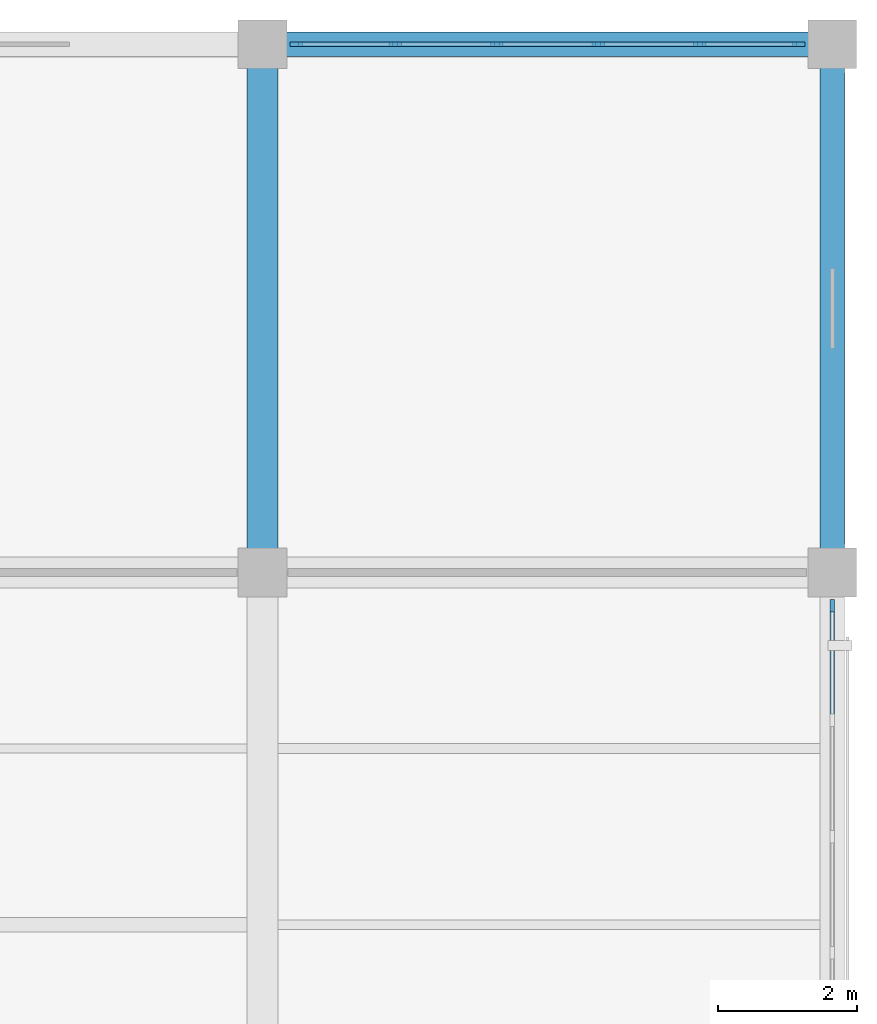
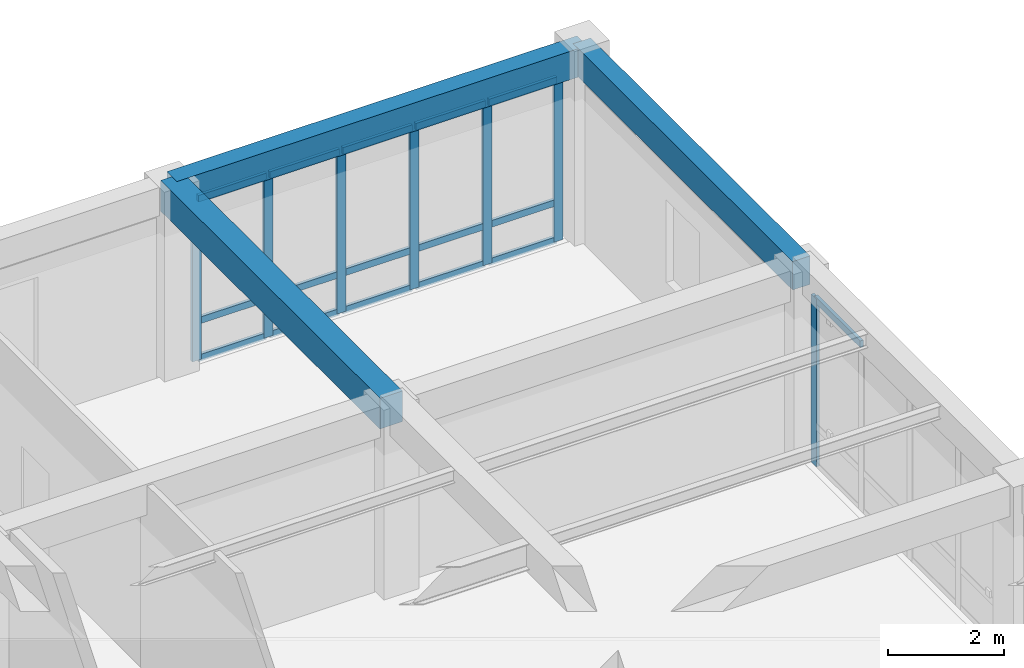
# One storey, part 5 of 13: 23 members, 3 beams, 2 elements without a shape of their own.
"""IFC4 building model written with IfcOpenShell, lengths in metres."""

from ifc_helpers import new_model, si_unit, direction, frame, origin, origin_2d, place, context, subcontext, project, spatial, rectangle, extrude, material, material_profile, profile_set, type_object, element, aggregate, save


model = new_model("IFC4")

# Units and contexts
model_context = context("Model", 3, precision=1e-05, world=origin(), true_north=direction((0.0, 1.0)))
body_context = subcontext(model_context, "Body", "Model", "MODEL_VIEW")
ifc_project = project(units=[si_unit("LENGTHUNIT", "METRE"), si_unit("AREAUNIT", "SQUARE_METRE"), si_unit("VOLUMEUNIT", "CUBIC_METRE"), si_unit("PLANEANGLEUNIT", "RADIAN"), si_unit("MASSUNIT", "GRAM", prefix="KILO")], contexts=[model_context])

# Site, building, storey
site_placement = place(None, origin())
site = spatial("IfcSite", under=ifc_project, at=site_placement, CompositionType="ELEMENT")
building_placement = place(site_placement, origin())
building = spatial("IfcBuilding", under=site, at=building_placement, Name="Qandaris Square Conservatory and Botanical Centre", CompositionType="ELEMENT")
storey_placement = place(building_placement, frame((0.0, 0.0, 61.800048828125)))
storey = spatial("IfcBuildingStorey", under=building, at=storey_placement, Name="L14", CompositionType="ELEMENT", Elevation=61.800048828125)

# Curtain wall, member
ifc_material_1 = material(Name="Anodised Aluminium", Category="aluminium")
curtain_wall_type_1 = type_object("IfcCurtainWallType", Name="Unitised Curtain Wall CW-4-670x355", PredefinedType="USERDEFINED", material=ifc_material_1)
curtain_wall_1_placement = place(storey_placement, origin())
curtain_wall_1 = element("IfcCurtainWall", 1, at=curtain_wall_1_placement, inside=storey, type_object=curtain_wall_type_1, Name="Curtain Wall CW-TWR-L14-2-5", ObjectType="GLAZED CURTAIN WALL", PredefinedType="USERDEFINED")
ifc_material_profile_1 = material_profile(ifc_material_1, rectangle(XDim=0.06494140625, YDim=0.179931640625, at=origin_2d()), Name="ALU-MUL 65x180")
ifc_profile_set_1 = profile_set([ifc_material_profile_1], Name="Anodised Aluminium")
member_type_1 = type_object("IfcMemberType", Name="Curtain Wall Mullion 65x180", PredefinedType="MULLION", material=ifc_profile_set_1)
member_1_placement = place(storey_placement, frame((163.800048828125, 54.117431640625, 0.0), z_axis=(0.0, 0.0, 1.0), x_axis=(-1.0, 0.0, 0.0)))
member_1 = element("IfcMember", 2, at=member_1_placement, type_object=member_type_1, Name="CW-4-670x355 mullion 5", PredefinedType="MULLION", context=body_context, shape_type="SweptSolid", body=[
    extrude(rectangle(XDim=0.06494140625, YDim=0.179931640625, at=origin_2d()), origin(), (0.0, 0.0, 1.0), 3.544921875),
])

# Curtain wall, members
curtain_wall_type_2 = type_object("IfcCurtainWallType", Name="Unitised Curtain Wall CW-3-730x344", PredefinedType="USERDEFINED", material=ifc_material_1)
curtain_wall_2_placement = place(storey_placement, origin())
curtain_wall_2 = element("IfcCurtainWall", 3, at=curtain_wall_2_placement, inside=storey, type_object=curtain_wall_type_2, Name="Curtain Wall CW-TWR-L14-3-1", ObjectType="GLAZED CURTAIN WALL", PredefinedType="USERDEFINED")
member_2_placement = place(storey_placement, frame((163.3173828125, 62.199951171875, 0.0), z_axis=(0.0, 0.0, 1.0), x_axis=(0.0, -1.0, 0.0)))
member_2 = element("IfcMember", 4, at=member_2_placement, type_object=member_type_1, Name="CW-3-730x344 mullion 1", PredefinedType="MULLION", context=body_context, shape_type="SweptSolid", body=[
    extrude(rectangle(XDim=0.06494140625, YDim=0.179931640625, at=origin_2d()), origin(), (0.0, 0.0, 1.0), 3.43994140625),
])
member_3_placement = place(storey_placement, frame((161.889892578125, 62.199951171875, 0.0), z_axis=(0.0, 0.0, 1.0), x_axis=(0.0, -1.0, 0.0)))
member_3 = element("IfcMember", 5, at=member_3_placement, type_object=member_type_1, Name="CW-3-730x344 mullion 2", PredefinedType="MULLION", context=body_context, shape_type="SweptSolid", body=[
    extrude(rectangle(XDim=0.06494140625, YDim=0.179931640625, at=origin_2d()), origin(), (0.0, 0.0, 1.0), 3.43994140625),
])
member_4_placement = place(storey_placement, frame((160.429931640625, 62.199951171875, 0.0), z_axis=(0.0, 0.0, 1.0), x_axis=(0.0, -1.0, 0.0)))
member_4 = element("IfcMember", 6, at=member_4_placement, type_object=member_type_1, Name="CW-3-730x344 mullion 3", PredefinedType="MULLION", context=body_context, shape_type="SweptSolid", body=[
    extrude(rectangle(XDim=0.06494140625, YDim=0.179931640625, at=origin_2d()), origin(), (0.0, 0.0, 1.0), 3.43994140625),
])
member_5_placement = place(storey_placement, frame((158.969970703125, 62.199951171875, 0.0), z_axis=(0.0, 0.0, 1.0), x_axis=(0.0, -1.0, 0.0)))
member_5 = element("IfcMember", 7, at=member_5_placement, type_object=member_type_1, Name="CW-3-730x344 mullion 4", PredefinedType="MULLION", context=body_context, shape_type="SweptSolid", body=[
    extrude(rectangle(XDim=0.06494140625, YDim=0.179931640625, at=origin_2d()), origin(), (0.0, 0.0, 1.0), 3.43994140625),
])
member_6_placement = place(storey_placement, frame((157.510009765625, 62.199951171875, 0.0), z_axis=(0.0, 0.0, 1.0), x_axis=(0.0, -1.0, 0.0)))
member_6 = element("IfcMember", 8, at=member_6_placement, type_object=member_type_1, Name="CW-3-730x344 mullion 5", PredefinedType="MULLION", context=body_context, shape_type="SweptSolid", body=[
    extrude(rectangle(XDim=0.06494140625, YDim=0.179931640625, at=origin_2d()), origin(), (0.0, 0.0, 1.0), 3.43994140625),
])
member_7_placement = place(storey_placement, frame((156.08251953125, 62.199951171875, 0.0), z_axis=(0.0, 0.0, 1.0), x_axis=(0.0, -1.0, 0.0)))
member_7 = element("IfcMember", 9, at=member_7_placement, type_object=member_type_1, Name="CW-3-730x344 mullion 6", PredefinedType="MULLION", context=body_context, shape_type="SweptSolid", body=[
    extrude(rectangle(XDim=0.06494140625, YDim=0.179931640625, at=origin_2d()), origin(), (0.0, 0.0, 1.0), 3.43994140625),
])

# Member
ifc_material_profile_2 = material_profile(ifc_material_1, rectangle(XDim=0.06494140625, YDim=0.139892578125, at=origin_2d()), Name="ALU-TRN 65x140")
ifc_profile_set_2 = profile_set([ifc_material_profile_2], Name="Anodised Aluminium")
member_type_2 = type_object("IfcMemberType", Name="Curtain Wall Transom 65x140", PredefinedType="USERDEFINED", material=ifc_profile_set_2)
member_8_placement = place(storey_placement, frame((163.800048828125, 52.507568359375, 3.512451171875), z_axis=(0.0, 1.0, 0.0), x_axis=(-1.0, 0.0, 0.0)))
member_8 = element("IfcMember", 10, at=member_8_placement, type_object=member_type_2, Name="CW-4-670x355 transom 4.3", ObjectType="TRANSOM", PredefinedType="USERDEFINED", context=body_context, shape_type="SweptSolid", body=[
    extrude(rectangle(XDim=0.06494140625, YDim=0.139892578125, at=origin_2d()), origin(), (0.0, 0.0, 1.0), 1.577392578125),
])

aggregate(curtain_wall_1, [member_1, member_8])

member_9_placement = place(storey_placement, frame((163.284912109375, 62.199951171875, 0.032470703125), z_axis=(-1.0, 0.0, 0.0), x_axis=(0.0, -1.0, 0.0)))
member_9 = element("IfcMember", 11, at=member_9_placement, type_object=member_type_2, Name="CW-3-730x344 transom 1.1", ObjectType="TRANSOM", PredefinedType="USERDEFINED", context=body_context, shape_type="SweptSolid", body=[
    extrude(rectangle(XDim=0.06494140625, YDim=0.139892578125, at=origin_2d()), origin(), (0.0, 0.0, 1.0), 1.3623046875),
])

member_10_placement = place(storey_placement, frame((163.284912109375, 62.199951171875, 0.825439453125), z_axis=(-1.0, 0.0, 0.0), x_axis=(0.0, -1.0, 0.0)))
member_10 = element("IfcMember", 12, at=member_10_placement, type_object=member_type_2, Name="CW-3-730x344 transom 1.2", ObjectType="TRANSOM", PredefinedType="USERDEFINED", context=body_context, shape_type="SweptSolid", body=[
    extrude(rectangle(XDim=0.06494140625, YDim=0.139892578125, at=origin_2d()), origin(), (0.0, 0.0, 1.0), 1.3623046875),
])

member_11_placement = place(storey_placement, frame((163.284912109375, 62.199951171875, 3.407470703125), z_axis=(-1.0, 0.0, 0.0), x_axis=(0.0, -1.0, 0.0)))
member_11 = element("IfcMember", 13, at=member_11_placement, type_object=member_type_2, Name="CW-3-730x344 transom 1.3", ObjectType="TRANSOM", PredefinedType="USERDEFINED", context=body_context, shape_type="SweptSolid", body=[
    extrude(rectangle(XDim=0.06494140625, YDim=0.139892578125, at=origin_2d()), origin(), (0.0, 0.0, 1.0), 1.3623046875),
])

member_12_placement = place(storey_placement, frame((161.857421875, 62.199951171875, 0.032470703125), z_axis=(-1.0, 0.0, 0.0), x_axis=(0.0, -1.0, 0.0)))
member_12 = element("IfcMember", 14, at=member_12_placement, type_object=member_type_2, Name="CW-3-730x344 transom 2.1", ObjectType="TRANSOM", PredefinedType="USERDEFINED", context=body_context, shape_type="SweptSolid", body=[
    extrude(rectangle(XDim=0.06494140625, YDim=0.139892578125, at=origin_2d()), origin(), (0.0, 0.0, 1.0), 1.39501953125),
])

member_13_placement = place(storey_placement, frame((161.857421875, 62.199951171875, 0.825439453125), z_axis=(-1.0, 0.0, 0.0), x_axis=(0.0, -1.0, 0.0)))
member_13 = element("IfcMember", 15, at=member_13_placement, type_object=member_type_2, Name="CW-3-730x344 transom 2.2", ObjectType="TRANSOM", PredefinedType="USERDEFINED", context=body_context, shape_type="SweptSolid", body=[
    extrude(rectangle(XDim=0.06494140625, YDim=0.139892578125, at=origin_2d()), origin(), (0.0, 0.0, 1.0), 1.39501953125),
])

member_14_placement = place(storey_placement, frame((161.857421875, 62.199951171875, 3.407470703125), z_axis=(-1.0, 0.0, 0.0), x_axis=(0.0, -1.0, 0.0)))
member_14 = element("IfcMember", 16, at=member_14_placement, type_object=member_type_2, Name="CW-3-730x344 transom 2.3", ObjectType="TRANSOM", PredefinedType="USERDEFINED", context=body_context, shape_type="SweptSolid", body=[
    extrude(rectangle(XDim=0.06494140625, YDim=0.139892578125, at=origin_2d()), origin(), (0.0, 0.0, 1.0), 1.39501953125),
])

member_15_placement = place(storey_placement, frame((160.3974609375, 62.199951171875, 0.032470703125), z_axis=(-1.0, 0.0, 0.0), x_axis=(0.0, -1.0, 0.0)))
member_15 = element("IfcMember", 17, at=member_15_placement, type_object=member_type_2, Name="CW-3-730x344 transom 3.1", ObjectType="TRANSOM", PredefinedType="USERDEFINED", context=body_context, shape_type="SweptSolid", body=[
    extrude(rectangle(XDim=0.06494140625, YDim=0.139892578125, at=origin_2d()), origin(), (0.0, 0.0, 1.0), 1.39501953125),
])

member_16_placement = place(storey_placement, frame((160.3974609375, 62.199951171875, 0.825439453125), z_axis=(-1.0, 0.0, 0.0), x_axis=(0.0, -1.0, 0.0)))
member_16 = element("IfcMember", 18, at=member_16_placement, type_object=member_type_2, Name="CW-3-730x344 transom 3.2", ObjectType="TRANSOM", PredefinedType="USERDEFINED", context=body_context, shape_type="SweptSolid", body=[
    extrude(rectangle(XDim=0.06494140625, YDim=0.139892578125, at=origin_2d()), origin(), (0.0, 0.0, 1.0), 1.39501953125),
])

member_17_placement = place(storey_placement, frame((160.3974609375, 62.199951171875, 3.407470703125), z_axis=(-1.0, 0.0, 0.0), x_axis=(0.0, -1.0, 0.0)))
member_17 = element("IfcMember", 19, at=member_17_placement, type_object=member_type_2, Name="CW-3-730x344 transom 3.3", ObjectType="TRANSOM", PredefinedType="USERDEFINED", context=body_context, shape_type="SweptSolid", body=[
    extrude(rectangle(XDim=0.06494140625, YDim=0.139892578125, at=origin_2d()), origin(), (0.0, 0.0, 1.0), 1.39501953125),
])

member_18_placement = place(storey_placement, frame((158.9375, 62.199951171875, 0.032470703125), z_axis=(-1.0, 0.0, 0.0), x_axis=(0.0, -1.0, 0.0)))
member_18 = element("IfcMember", 20, at=member_18_placement, type_object=member_type_2, Name="CW-3-730x344 transom 4.1", ObjectType="TRANSOM", PredefinedType="USERDEFINED", context=body_context, shape_type="SweptSolid", body=[
    extrude(rectangle(XDim=0.06494140625, YDim=0.139892578125, at=origin_2d()), origin(), (0.0, 0.0, 1.0), 1.39501953125),
])

member_19_placement = place(storey_placement, frame((158.9375, 62.199951171875, 0.825439453125), z_axis=(-1.0, 0.0, 0.0), x_axis=(0.0, -1.0, 0.0)))
member_19 = element("IfcMember", 21, at=member_19_placement, type_object=member_type_2, Name="CW-3-730x344 transom 4.2", ObjectType="TRANSOM", PredefinedType="USERDEFINED", context=body_context, shape_type="SweptSolid", body=[
    extrude(rectangle(XDim=0.06494140625, YDim=0.139892578125, at=origin_2d()), origin(), (0.0, 0.0, 1.0), 1.39501953125),
])

member_20_placement = place(storey_placement, frame((158.9375, 62.199951171875, 3.407470703125), z_axis=(-1.0, 0.0, 0.0), x_axis=(0.0, -1.0, 0.0)))
member_20 = element("IfcMember", 22, at=member_20_placement, type_object=member_type_2, Name="CW-3-730x344 transom 4.3", ObjectType="TRANSOM", PredefinedType="USERDEFINED", context=body_context, shape_type="SweptSolid", body=[
    extrude(rectangle(XDim=0.06494140625, YDim=0.139892578125, at=origin_2d()), origin(), (0.0, 0.0, 1.0), 1.39501953125),
])

member_21_placement = place(storey_placement, frame((157.4775390625, 62.199951171875, 0.032470703125), z_axis=(-1.0, 0.0, 0.0), x_axis=(0.0, -1.0, 0.0)))
member_21 = element("IfcMember", 23, at=member_21_placement, type_object=member_type_2, Name="CW-3-730x344 transom 5.1", ObjectType="TRANSOM", PredefinedType="USERDEFINED", context=body_context, shape_type="SweptSolid", body=[
    extrude(rectangle(XDim=0.06494140625, YDim=0.139892578125, at=origin_2d()), origin(), (0.0, 0.0, 1.0), 1.362548828125),
])

member_22_placement = place(storey_placement, frame((157.4775390625, 62.199951171875, 0.825439453125), z_axis=(-1.0, 0.0, 0.0), x_axis=(0.0, -1.0, 0.0)))
member_22 = element("IfcMember", 24, at=member_22_placement, type_object=member_type_2, Name="CW-3-730x344 transom 5.2", ObjectType="TRANSOM", PredefinedType="USERDEFINED", context=body_context, shape_type="SweptSolid", body=[
    extrude(rectangle(XDim=0.06494140625, YDim=0.139892578125, at=origin_2d()), origin(), (0.0, 0.0, 1.0), 1.362548828125),
])

member_23_placement = place(storey_placement, frame((157.4775390625, 62.199951171875, 3.407470703125), z_axis=(-1.0, 0.0, 0.0), x_axis=(0.0, -1.0, 0.0)))
member_23 = element("IfcMember", 25, at=member_23_placement, type_object=member_type_2, Name="CW-3-730x344 transom 5.3", ObjectType="TRANSOM", PredefinedType="USERDEFINED", context=body_context, shape_type="SweptSolid", body=[
    extrude(rectangle(XDim=0.06494140625, YDim=0.139892578125, at=origin_2d()), origin(), (0.0, 0.0, 1.0), 1.362548828125),
])

aggregate(curtain_wall_2, [member_2, member_3, member_4, member_5, member_6, member_7, member_9, member_10, member_11, member_12, member_13, member_14, member_15, member_16, member_17, member_18, member_19, member_20, member_21, member_22, member_23])

# Beams
ifc_material_2 = material(Name="Concrete C50/60", Category="concrete")
ifc_material_profile_3 = material_profile(ifc_material_2, rectangle(XDim=0.35009765625, YDim=0.60009765625, at=origin_2d()), Name="RC-SP 350x600")
ifc_profile_set_3 = profile_set([ifc_material_profile_3], Name="Concrete C50/60")
beam_type_1 = type_object("IfcBeamType", Name="RC Edge Spandrel Beam 350x600", PredefinedType="SPANDREL", material=ifc_profile_set_3)
beam_1_placement = place(storey_placement, frame((155.60009765625, 62.199951171875, 3.739990234375), z_axis=(1.0, 0.0, 0.0), x_axis=(0.0, 1.0, 0.0)))
element("IfcBeam", 26, at=beam_1_placement, inside=storey, type_object=beam_type_1, Name="L14 Frame Beam 2849", PredefinedType="SPANDREL", context=body_context, shape_type="SweptSolid", body=[
    extrude(rectangle(XDim=0.35009765625, YDim=0.60009765625, at=origin_2d()), origin(), (0.0, 0.0, 1.0), 8.199951171875),
])
beam_2_placement = place(storey_placement, frame((163.800048828125, 54.60009765625, 3.739990234375), z_axis=(0.0, 1.0, 0.0), x_axis=(-1.0, 0.0, 0.0)))
element("IfcBeam", 27, at=beam_2_placement, inside=storey, type_object=beam_type_1, Name="L14 Frame Beam 2877", PredefinedType="SPANDREL", context=body_context, shape_type="SweptSolid", body=[
    extrude(rectangle(XDim=0.35009765625, YDim=0.60009765625, at=origin_2d()), origin(), (0.0, 0.0, 1.0), 7.599853515625),
])
ifc_material_profile_4 = material_profile(ifc_material_2, rectangle(XDim=0.449951171875, YDim=0.64990234375, at=origin_2d()), Name="RC-BM 450x650")
ifc_profile_set_4 = profile_set([ifc_material_profile_4], Name="Concrete C50/60")
beam_type_2 = type_object("IfcBeamType", Name="RC Floor Girder 450x650", PredefinedType="BEAM", material=ifc_profile_set_4)
beam_3_placement = place(storey_placement, frame((155.60009765625, 54.60009765625, 3.71484375), z_axis=(0.0, 1.0, 0.0), x_axis=(-1.0, 0.0, 0.0)))
element("IfcBeam", 28, at=beam_3_placement, inside=storey, type_object=beam_type_2, Name="L14 Frame Beam 2871", PredefinedType="BEAM", context=body_context, shape_type="SweptSolid", body=[
    extrude(rectangle(XDim=0.449951171875, YDim=0.64990234375, at=origin_2d()), origin(), (0.0, 0.0, 1.0), 7.599853515625),
])

save(model, "model.ifc")
